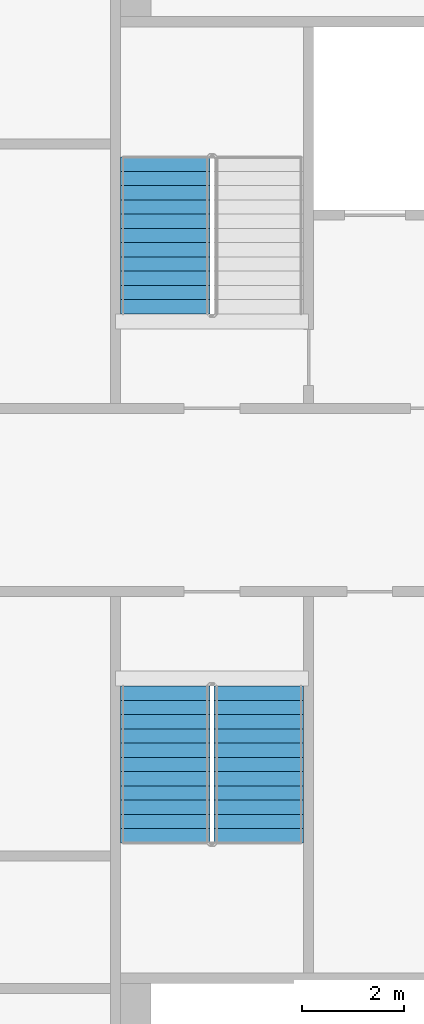
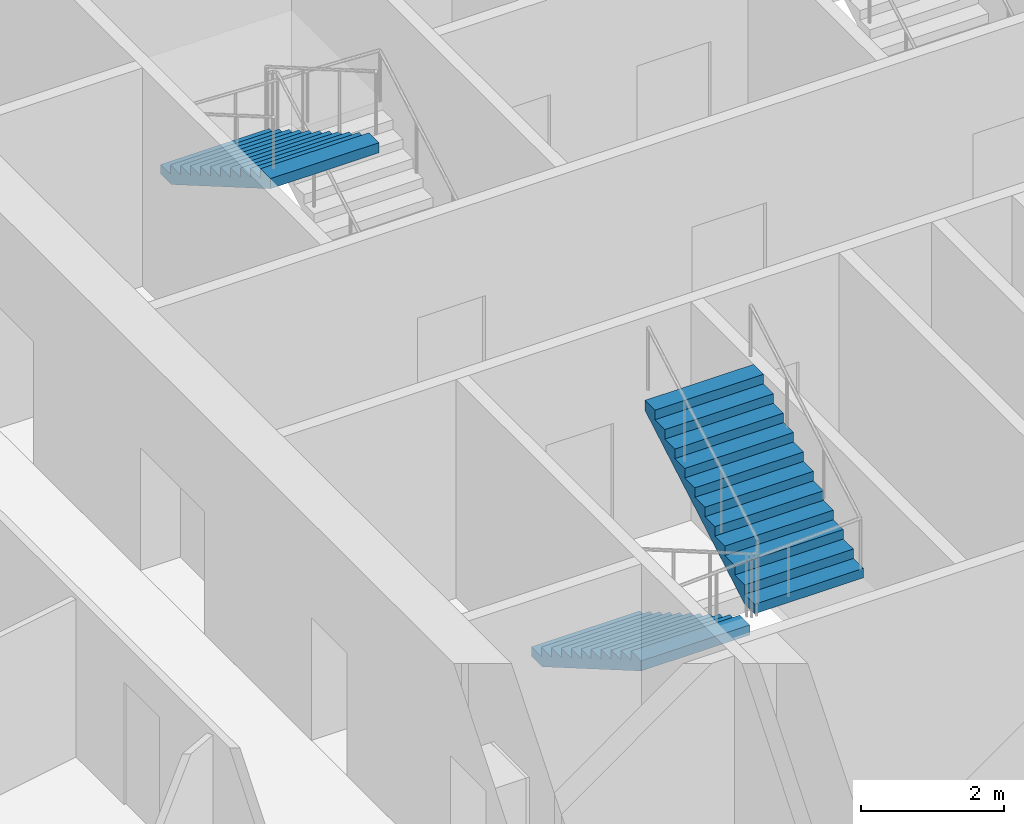
# One storey, part 8 of 15: 3 stair flights, 2 elements without a shape of their own.
"""IFC4 building model written with IfcOpenShell, lengths in metres."""

from ifc_helpers import new_model, si_unit, direction, frame, origin, place, context, subcontext, project, spatial, faceted_brep, material, type_object, element, aggregate, save


model = new_model("IFC4")

# Units and contexts
model_context = context("Model", 3, precision=1e-05, world=origin(), true_north=direction((0.0, 1.0)))
body_context = subcontext(model_context, "Body", "Model", "MODEL_VIEW")
ifc_project = project(units=[si_unit("LENGTHUNIT", "METRE"), si_unit("AREAUNIT", "SQUARE_METRE"), si_unit("VOLUMEUNIT", "CUBIC_METRE"), si_unit("PLANEANGLEUNIT", "RADIAN"), si_unit("MASSUNIT", "GRAM", prefix="KILO")], contexts=[model_context])

# Site, building, storey
site_placement = place(None, origin())
site = spatial("IfcSite", under=ifc_project, at=site_placement, CompositionType="ELEMENT")
building_placement = place(site_placement, origin())
building = spatial("IfcBuilding", under=site, at=building_placement, Name="Tarsis Ring Headquarters", CompositionType="ELEMENT")
storey_placement = place(building_placement, frame((0.0, 0.0, 174.89990234375)))
storey = spatial("IfcBuildingStorey", under=building, at=storey_placement, Name="L40", CompositionType="ELEMENT", Elevation=174.89990234375)

# Stair, stair flight
ifc_material_1 = material(Name="Core stair 1760")
stair_type = type_object("IfcStairType", Name="Core stair 1760", PredefinedType="HALF_TURN_STAIR", material=ifc_material_1)
stair_1_placement = place(storey_placement, origin())
stair_1 = element("IfcStair", 1, at=stair_1_placement, inside=storey, type_object=stair_type, Name="L40 Firefighting stair", PredefinedType="HALF_TURN_STAIR")
ifc_material_2 = material(Name="Concrete C40/50", Category="concrete")
stair_flight_type = type_object("IfcStairFlightType", Name="Core stair flight 1760", PredefinedType="STRAIGHT", material=ifc_material_2)
stair_flight_1_placement = place(storey_placement, frame((-5.419921875, 6.739990234375, 1.9501953125), z_axis=(0.0, 0.0, 1.0), x_axis=(0.0, -1.0, 0.0)))
stair_flight_1 = element("IfcStairFlight", 2, at=stair_flight_1_placement, type_object=stair_flight_type, Name="Stair ST1 flight 2", NumberOfRisers=12, NumberOfTreads=11, PredefinedType="STRAIGHT", RiserHeight=0.1625, TreadLength=0.28, context=body_context, shape_type="Brep", body=[
    faceted_brep([(0.0, 0.8798828125, 0.0), (0.0, 0.8798828125, 0.16259765625), (0.280029296875, 0.8798828125, 0.16259765625), (0.280029296875, 0.8798828125, 0.324951171875), (0.56005859375, 0.8798828125, 0.324951171875), (0.56005859375, 0.8798828125, 0.487548828125), (0.840087890625, 0.8798828125, 0.487548828125), (0.840087890625, 0.8798828125, 0.64990234375), (1.1201171875, 0.8798828125, 0.64990234375), (1.1201171875, 0.8798828125, 0.8125), (1.39990234375, 0.8798828125, 0.8125), (1.39990234375, 0.8798828125, 0.97509765625), (1.679931640625, 0.8798828125, 0.97509765625), (1.679931640625, 0.8798828125, 1.137451171875), (1.9599609375, 0.8798828125, 1.137451171875), (1.9599609375, 0.8798828125, 1.300048828125), (2.239990234375, 0.8798828125, 1.300048828125), (2.239990234375, 0.8798828125, 1.46240234375), (2.52001953125, 0.8798828125, 1.46240234375), (2.52001953125, 0.8798828125, 1.625), (2.800048828125, 0.8798828125, 1.625), (2.800048828125, 0.8798828125, 1.78759765625), (3.080078125, 0.8798828125, 1.78759765625), (3.080078125, 0.8798828125, 1.6142578125), (0.298583984375, 0.8798828125, 0.0), (0.298583984375, -0.8798828125, 0.0), (3.080078125, -0.8798828125, 1.6142578125), (3.080078125, -0.8798828125, 1.78759765625), (2.800048828125, -0.8798828125, 1.78759765625), (2.800048828125, -0.8798828125, 1.625), (2.52001953125, -0.8798828125, 1.625), (2.52001953125, -0.8798828125, 1.46240234375), (2.239990234375, -0.8798828125, 1.46240234375), (2.239990234375, -0.8798828125, 1.300048828125), (1.9599609375, -0.8798828125, 1.300048828125), (1.9599609375, -0.8798828125, 1.137451171875), (1.679931640625, -0.8798828125, 1.137451171875), (1.679931640625, -0.8798828125, 0.97509765625), (1.39990234375, -0.8798828125, 0.97509765625), (1.39990234375, -0.8798828125, 0.8125), (1.1201171875, -0.8798828125, 0.8125), (1.1201171875, -0.8798828125, 0.64990234375), (0.840087890625, -0.8798828125, 0.64990234375), (0.840087890625, -0.8798828125, 0.487548828125), (0.56005859375, -0.8798828125, 0.487548828125), (0.56005859375, -0.8798828125, 0.324951171875), (0.280029296875, -0.8798828125, 0.324951171875), (0.280029296875, -0.8798828125, 0.16259765625), (0.0, -0.8798828125, 0.16259765625), (0.0, -0.8798828125, 0.0), (0.0, -0.43994140625, 0.16259765625), (0.0, -0.43994140625, 0.0), (0.0, 0.0, 0.16259765625), (0.0, 0.0, 0.0), (0.0, 0.43994140625, 0.16259765625), (0.0, 0.43994140625, 0.0), (0.280029296875, -0.43994140625, 0.16259765625), (0.280029296875, 0.0, 0.16259765625), (0.280029296875, 0.43994140625, 0.16259765625), (0.280029296875, -0.43994140625, 0.324951171875), (0.280029296875, 0.0, 0.324951171875), (0.280029296875, 0.43994140625, 0.324951171875), (0.56005859375, -0.43994140625, 0.324951171875), (0.56005859375, 0.0, 0.324951171875), (0.56005859375, 0.43994140625, 0.324951171875), (0.56005859375, -0.43994140625, 0.487548828125), (0.56005859375, 0.0, 0.487548828125), (0.56005859375, 0.43994140625, 0.487548828125), (0.840087890625, -0.43994140625, 0.487548828125), (0.840087890625, 0.0, 0.487548828125), (0.840087890625, 0.43994140625, 0.487548828125), (0.840087890625, -0.43994140625, 0.64990234375), (0.840087890625, 0.0, 0.64990234375), (0.840087890625, 0.43994140625, 0.64990234375), (1.1201171875, -0.43994140625, 0.64990234375), (1.1201171875, 0.0, 0.64990234375), (1.1201171875, 0.43994140625, 0.64990234375), (1.1201171875, -0.43994140625, 0.8125), (1.1201171875, 0.0, 0.8125), (1.1201171875, 0.43994140625, 0.8125), (1.39990234375, -0.43994140625, 0.8125), (1.39990234375, 0.0, 0.8125), (1.39990234375, 0.43994140625, 0.8125), (1.39990234375, -0.43994140625, 0.97509765625), (1.39990234375, 0.0, 0.97509765625), (1.39990234375, 0.43994140625, 0.97509765625), (1.679931640625, -0.43994140625, 0.97509765625), (1.679931640625, 0.0, 0.97509765625), (1.679931640625, 0.43994140625, 0.97509765625), (1.679931640625, -0.43994140625, 1.137451171875), (1.679931640625, 0.0, 1.137451171875), (1.679931640625, 0.43994140625, 1.137451171875), (1.9599609375, -0.43994140625, 1.137451171875), (1.9599609375, 0.0, 1.137451171875), (1.9599609375, 0.43994140625, 1.137451171875), (1.9599609375, -0.43994140625, 1.300048828125), (1.9599609375, 0.0, 1.300048828125), (1.9599609375, 0.43994140625, 1.300048828125), (2.239990234375, -0.43994140625, 1.300048828125), (2.239990234375, 0.0, 1.300048828125), (2.239990234375, 0.43994140625, 1.300048828125), (2.239990234375, -0.43994140625, 1.46240234375), (2.239990234375, 0.0, 1.46240234375), (2.239990234375, 0.43994140625, 1.46240234375), (2.52001953125, -0.43994140625, 1.46240234375), (2.52001953125, 0.0, 1.46240234375), (2.52001953125, 0.43994140625, 1.46240234375), (2.52001953125, -0.43994140625, 1.625), (2.52001953125, 0.0, 1.625), (2.52001953125, 0.43994140625, 1.625), (2.800048828125, -0.43994140625, 1.625), (2.800048828125, 0.0, 1.625), (2.800048828125, 0.43994140625, 1.625), (2.800048828125, -0.43994140625, 1.78759765625), (2.800048828125, 0.0, 1.78759765625), (2.800048828125, 0.43994140625, 1.78759765625), (3.080078125, -0.43994140625, 1.78759765625), (3.080078125, 0.0, 1.78759765625), (3.080078125, 0.43994140625, 1.78759765625), (3.080078125, -0.43994140625, 1.6142578125), (3.080078125, 0.0, 1.6142578125), (3.080078125, 0.43994140625, 1.6142578125), (0.298583984375, -0.43994140625, 0.0), (0.298583984375, 0.0, 0.0), (0.298583984375, 0.43994140625, 0.0)], [[[0, 1, 2, 3, 4, 5, 6, 7, 8, 9, 10, 11, 12, 13, 14, 15, 16, 17, 18, 19, 20, 21, 22, 23, 24]], [[25, 26, 27, 28, 29, 30, 31, 32, 33, 34, 35, 36, 37, 38, 39, 40, 41, 42, 43, 44, 45, 46, 47, 48, 49]], [[49, 48, 50, 51]], [[51, 50, 52, 53]], [[53, 52, 54, 55]], [[55, 54, 1, 0]], [[48, 47, 56, 50]], [[50, 56, 57, 52]], [[52, 57, 58, 54]], [[54, 58, 2, 1]], [[47, 46, 59, 56]], [[56, 59, 60, 57]], [[57, 60, 61, 58]], [[58, 61, 3, 2]], [[46, 45, 62, 59]], [[59, 62, 63, 60]], [[60, 63, 64, 61]], [[61, 64, 4, 3]], [[45, 44, 65, 62]], [[62, 65, 66, 63]], [[63, 66, 67, 64]], [[64, 67, 5, 4]], [[44, 43, 68, 65]], [[65, 68, 69, 66]], [[66, 69, 70, 67]], [[67, 70, 6, 5]], [[43, 42, 71, 68]], [[68, 71, 72, 69]], [[69, 72, 73, 70]], [[70, 73, 7, 6]], [[42, 41, 74, 71]], [[71, 74, 75, 72]], [[72, 75, 76, 73]], [[73, 76, 8, 7]], [[41, 40, 77, 74]], [[74, 77, 78, 75]], [[75, 78, 79, 76]], [[76, 79, 9, 8]], [[40, 39, 80, 77]], [[77, 80, 81, 78]], [[78, 81, 82, 79]], [[79, 82, 10, 9]], [[39, 38, 83, 80]], [[80, 83, 84, 81]], [[81, 84, 85, 82]], [[82, 85, 11, 10]], [[38, 37, 86, 83]], [[83, 86, 87, 84]], [[84, 87, 88, 85]], [[85, 88, 12, 11]], [[37, 36, 89, 86]], [[86, 89, 90, 87]], [[87, 90, 91, 88]], [[88, 91, 13, 12]], [[36, 35, 92, 89]], [[89, 92, 93, 90]], [[90, 93, 94, 91]], [[91, 94, 14, 13]], [[35, 34, 95, 92]], [[92, 95, 96, 93]], [[93, 96, 97, 94]], [[94, 97, 15, 14]], [[34, 33, 98, 95]], [[95, 98, 99, 96]], [[96, 99, 100, 97]], [[97, 100, 16, 15]], [[33, 32, 101, 98]], [[98, 101, 102, 99]], [[99, 102, 103, 100]], [[100, 103, 17, 16]], [[32, 31, 104, 101]], [[101, 104, 105, 102]], [[102, 105, 106, 103]], [[103, 106, 18, 17]], [[31, 30, 107, 104]], [[104, 107, 108, 105]], [[105, 108, 109, 106]], [[106, 109, 19, 18]], [[30, 29, 110, 107]], [[107, 110, 111, 108]], [[108, 111, 112, 109]], [[109, 112, 20, 19]], [[29, 28, 113, 110]], [[110, 113, 114, 111]], [[111, 114, 115, 112]], [[112, 115, 21, 20]], [[28, 27, 116, 113]], [[113, 116, 117, 114]], [[114, 117, 118, 115]], [[115, 118, 22, 21]], [[27, 26, 119, 116]], [[116, 119, 120, 117]], [[117, 120, 121, 118]], [[118, 121, 23, 22]], [[26, 25, 122, 119]], [[119, 122, 123, 120]], [[120, 123, 124, 121]], [[121, 124, 24, 23]], [[25, 49, 51, 122]], [[122, 51, 53, 123]], [[123, 53, 55, 124]], [[124, 55, 0, 24]]]),
])
aggregate(stair_1, [stair_flight_1])

# Stair, stair flights
stair_2_placement = place(storey_placement, origin())
stair_2 = element("IfcStair", 3, at=stair_2_placement, inside=storey, type_object=stair_type, Name="L40 Exit stair C", PredefinedType="HALF_TURN_STAIR")
stair_flight_2_placement = place(storey_placement, frame((-5.419921875, -3.659912109375, 0.0), z_axis=(0.0, 0.0, 1.0), x_axis=(0.0, -1.0, 0.0)))
stair_flight_2 = element("IfcStairFlight", 4, at=stair_flight_2_placement, type_object=stair_flight_type, Name="Stair ST3 flight 1", NumberOfRisers=12, NumberOfTreads=11, PredefinedType="STRAIGHT", RiserHeight=0.1625, TreadLength=0.28, context=body_context, shape_type="Brep", body=[
    faceted_brep([(0.0, 0.8798828125, 0.0), (0.0, 0.8798828125, 0.16259765625), (0.280029296875, 0.8798828125, 0.16259765625), (0.280029296875, 0.8798828125, 0.324951171875), (0.56005859375, 0.8798828125, 0.324951171875), (0.56005859375, 0.8798828125, 0.487548828125), (0.840087890625, 0.8798828125, 0.487548828125), (0.840087890625, 0.8798828125, 0.64990234375), (1.1201171875, 0.8798828125, 0.64990234375), (1.1201171875, 0.8798828125, 0.8125), (1.39990234375, 0.8798828125, 0.8125), (1.39990234375, 0.8798828125, 0.97509765625), (1.679931640625, 0.8798828125, 0.97509765625), (1.679931640625, 0.8798828125, 1.137451171875), (1.9599609375, 0.8798828125, 1.137451171875), (1.9599609375, 0.8798828125, 1.300048828125), (2.239990234375, 0.8798828125, 1.300048828125), (2.239990234375, 0.8798828125, 1.46240234375), (2.52001953125, 0.8798828125, 1.46240234375), (2.52001953125, 0.8798828125, 1.625), (2.800048828125, 0.8798828125, 1.625), (2.800048828125, 0.8798828125, 1.78759765625), (3.080078125, 0.8798828125, 1.78759765625), (3.080078125, 0.8798828125, 1.6142578125), (0.298583984375, 0.8798828125, 0.0), (0.298583984375, -0.8798828125, 0.0), (3.080078125, -0.8798828125, 1.6142578125), (3.080078125, -0.8798828125, 1.78759765625), (2.800048828125, -0.8798828125, 1.78759765625), (2.800048828125, -0.8798828125, 1.625), (2.52001953125, -0.8798828125, 1.625), (2.52001953125, -0.8798828125, 1.46240234375), (2.239990234375, -0.8798828125, 1.46240234375), (2.239990234375, -0.8798828125, 1.300048828125), (1.9599609375, -0.8798828125, 1.300048828125), (1.9599609375, -0.8798828125, 1.137451171875), (1.679931640625, -0.8798828125, 1.137451171875), (1.679931640625, -0.8798828125, 0.97509765625), (1.39990234375, -0.8798828125, 0.97509765625), (1.39990234375, -0.8798828125, 0.8125), (1.1201171875, -0.8798828125, 0.8125), (1.1201171875, -0.8798828125, 0.64990234375), (0.840087890625, -0.8798828125, 0.64990234375), (0.840087890625, -0.8798828125, 0.487548828125), (0.56005859375, -0.8798828125, 0.487548828125), (0.56005859375, -0.8798828125, 0.324951171875), (0.280029296875, -0.8798828125, 0.324951171875), (0.280029296875, -0.8798828125, 0.16259765625), (0.0, -0.8798828125, 0.16259765625), (0.0, -0.8798828125, 0.0), (0.0, -0.43994140625, 0.16259765625), (0.0, -0.43994140625, 0.0), (0.0, 0.0, 0.16259765625), (0.0, 0.0, 0.0), (0.0, 0.43994140625, 0.16259765625), (0.0, 0.43994140625, 0.0), (0.280029296875, -0.43994140625, 0.16259765625), (0.280029296875, 0.0, 0.16259765625), (0.280029296875, 0.43994140625, 0.16259765625), (0.280029296875, -0.43994140625, 0.324951171875), (0.280029296875, 0.0, 0.324951171875), (0.280029296875, 0.43994140625, 0.324951171875), (0.56005859375, -0.43994140625, 0.324951171875), (0.56005859375, 0.0, 0.324951171875), (0.56005859375, 0.43994140625, 0.324951171875), (0.56005859375, -0.43994140625, 0.487548828125), (0.56005859375, 0.0, 0.487548828125), (0.56005859375, 0.43994140625, 0.487548828125), (0.840087890625, -0.43994140625, 0.487548828125), (0.840087890625, 0.0, 0.487548828125), (0.840087890625, 0.43994140625, 0.487548828125), (0.840087890625, -0.43994140625, 0.64990234375), (0.840087890625, 0.0, 0.64990234375), (0.840087890625, 0.43994140625, 0.64990234375), (1.1201171875, -0.43994140625, 0.64990234375), (1.1201171875, 0.0, 0.64990234375), (1.1201171875, 0.43994140625, 0.64990234375), (1.1201171875, -0.43994140625, 0.8125), (1.1201171875, 0.0, 0.8125), (1.1201171875, 0.43994140625, 0.8125), (1.39990234375, -0.43994140625, 0.8125), (1.39990234375, 0.0, 0.8125), (1.39990234375, 0.43994140625, 0.8125), (1.39990234375, -0.43994140625, 0.97509765625), (1.39990234375, 0.0, 0.97509765625), (1.39990234375, 0.43994140625, 0.97509765625), (1.679931640625, -0.43994140625, 0.97509765625), (1.679931640625, 0.0, 0.97509765625), (1.679931640625, 0.43994140625, 0.97509765625), (1.679931640625, -0.43994140625, 1.137451171875), (1.679931640625, 0.0, 1.137451171875), (1.679931640625, 0.43994140625, 1.137451171875), (1.9599609375, -0.43994140625, 1.137451171875), (1.9599609375, 0.0, 1.137451171875), (1.9599609375, 0.43994140625, 1.137451171875), (1.9599609375, -0.43994140625, 1.300048828125), (1.9599609375, 0.0, 1.300048828125), (1.9599609375, 0.43994140625, 1.300048828125), (2.239990234375, -0.43994140625, 1.300048828125), (2.239990234375, 0.0, 1.300048828125), (2.239990234375, 0.43994140625, 1.300048828125), (2.239990234375, -0.43994140625, 1.46240234375), (2.239990234375, 0.0, 1.46240234375), (2.239990234375, 0.43994140625, 1.46240234375), (2.52001953125, -0.43994140625, 1.46240234375), (2.52001953125, 0.0, 1.46240234375), (2.52001953125, 0.43994140625, 1.46240234375), (2.52001953125, -0.43994140625, 1.625), (2.52001953125, 0.0, 1.625), (2.52001953125, 0.43994140625, 1.625), (2.800048828125, -0.43994140625, 1.625), (2.800048828125, 0.0, 1.625), (2.800048828125, 0.43994140625, 1.625), (2.800048828125, -0.43994140625, 1.78759765625), (2.800048828125, 0.0, 1.78759765625), (2.800048828125, 0.43994140625, 1.78759765625), (3.080078125, -0.43994140625, 1.78759765625), (3.080078125, 0.0, 1.78759765625), (3.080078125, 0.43994140625, 1.78759765625), (3.080078125, -0.43994140625, 1.6142578125), (3.080078125, 0.0, 1.6142578125), (3.080078125, 0.43994140625, 1.6142578125), (0.298583984375, -0.43994140625, 0.0), (0.298583984375, 0.0, 0.0), (0.298583984375, 0.43994140625, 0.0)], [[[0, 1, 2, 3, 4, 5, 6, 7, 8, 9, 10, 11, 12, 13, 14, 15, 16, 17, 18, 19, 20, 21, 22, 23, 24]], [[25, 26, 27, 28, 29, 30, 31, 32, 33, 34, 35, 36, 37, 38, 39, 40, 41, 42, 43, 44, 45, 46, 47, 48, 49]], [[49, 48, 50, 51]], [[51, 50, 52, 53]], [[53, 52, 54, 55]], [[55, 54, 1, 0]], [[48, 47, 56, 50]], [[50, 56, 57, 52]], [[52, 57, 58, 54]], [[54, 58, 2, 1]], [[47, 46, 59, 56]], [[56, 59, 60, 57]], [[57, 60, 61, 58]], [[58, 61, 3, 2]], [[46, 45, 62, 59]], [[59, 62, 63, 60]], [[60, 63, 64, 61]], [[61, 64, 4, 3]], [[45, 44, 65, 62]], [[62, 65, 66, 63]], [[63, 66, 67, 64]], [[64, 67, 5, 4]], [[44, 43, 68, 65]], [[65, 68, 69, 66]], [[66, 69, 70, 67]], [[67, 70, 6, 5]], [[43, 42, 71, 68]], [[68, 71, 72, 69]], [[69, 72, 73, 70]], [[70, 73, 7, 6]], [[42, 41, 74, 71]], [[71, 74, 75, 72]], [[72, 75, 76, 73]], [[73, 76, 8, 7]], [[41, 40, 77, 74]], [[74, 77, 78, 75]], [[75, 78, 79, 76]], [[76, 79, 9, 8]], [[40, 39, 80, 77]], [[77, 80, 81, 78]], [[78, 81, 82, 79]], [[79, 82, 10, 9]], [[39, 38, 83, 80]], [[80, 83, 84, 81]], [[81, 84, 85, 82]], [[82, 85, 11, 10]], [[38, 37, 86, 83]], [[83, 86, 87, 84]], [[84, 87, 88, 85]], [[85, 88, 12, 11]], [[37, 36, 89, 86]], [[86, 89, 90, 87]], [[87, 90, 91, 88]], [[88, 91, 13, 12]], [[36, 35, 92, 89]], [[89, 92, 93, 90]], [[90, 93, 94, 91]], [[91, 94, 14, 13]], [[35, 34, 95, 92]], [[92, 95, 96, 93]], [[93, 96, 97, 94]], [[94, 97, 15, 14]], [[34, 33, 98, 95]], [[95, 98, 99, 96]], [[96, 99, 100, 97]], [[97, 100, 16, 15]], [[33, 32, 101, 98]], [[98, 101, 102, 99]], [[99, 102, 103, 100]], [[100, 103, 17, 16]], [[32, 31, 104, 101]], [[101, 104, 105, 102]], [[102, 105, 106, 103]], [[103, 106, 18, 17]], [[31, 30, 107, 104]], [[104, 107, 108, 105]], [[105, 108, 109, 106]], [[106, 109, 19, 18]], [[30, 29, 110, 107]], [[107, 110, 111, 108]], [[108, 111, 112, 109]], [[109, 112, 20, 19]], [[29, 28, 113, 110]], [[110, 113, 114, 111]], [[111, 114, 115, 112]], [[112, 115, 21, 20]], [[28, 27, 116, 113]], [[113, 116, 117, 114]], [[114, 117, 118, 115]], [[115, 118, 22, 21]], [[27, 26, 119, 116]], [[116, 119, 120, 117]], [[117, 120, 121, 118]], [[118, 121, 23, 22]], [[26, 25, 122, 119]], [[119, 122, 123, 120]], [[120, 123, 124, 121]], [[121, 124, 24, 23]], [[25, 49, 51, 122]], [[122, 51, 53, 123]], [[123, 53, 55, 124]], [[124, 55, 0, 24]]]),
])
stair_flight_3_placement = place(storey_placement, frame((-3.580078125, -6.739990234375, 1.9501953125), z_axis=(0.0, 0.0, 1.0), x_axis=(0.0, 1.0, 0.0)))
stair_flight_3 = element("IfcStairFlight", 5, at=stair_flight_3_placement, type_object=stair_flight_type, Name="Stair ST3 flight 2", NumberOfRisers=12, NumberOfTreads=11, PredefinedType="STRAIGHT", RiserHeight=0.1625, TreadLength=0.28, context=body_context, shape_type="Brep", body=[
    faceted_brep([(0.0, 0.8798828125, 0.0), (0.0, 0.8798828125, 0.16259765625), (0.280029296875, 0.8798828125, 0.16259765625), (0.280029296875, 0.8798828125, 0.324951171875), (0.56005859375, 0.8798828125, 0.324951171875), (0.56005859375, 0.8798828125, 0.487548828125), (0.840087890625, 0.8798828125, 0.487548828125), (0.840087890625, 0.8798828125, 0.64990234375), (1.1201171875, 0.8798828125, 0.64990234375), (1.1201171875, 0.8798828125, 0.8125), (1.39990234375, 0.8798828125, 0.8125), (1.39990234375, 0.8798828125, 0.97509765625), (1.679931640625, 0.8798828125, 0.97509765625), (1.679931640625, 0.8798828125, 1.137451171875), (1.9599609375, 0.8798828125, 1.137451171875), (1.9599609375, 0.8798828125, 1.300048828125), (2.239990234375, 0.8798828125, 1.300048828125), (2.239990234375, 0.8798828125, 1.46240234375), (2.52001953125, 0.8798828125, 1.46240234375), (2.52001953125, 0.8798828125, 1.625), (2.800048828125, 0.8798828125, 1.625), (2.800048828125, 0.8798828125, 1.78759765625), (3.080078125, 0.8798828125, 1.78759765625), (3.080078125, 0.8798828125, 1.6142578125), (0.298583984375, 0.8798828125, 0.0), (0.298583984375, -0.8798828125, 0.0), (3.080078125, -0.8798828125, 1.6142578125), (3.080078125, -0.8798828125, 1.78759765625), (2.800048828125, -0.8798828125, 1.78759765625), (2.800048828125, -0.8798828125, 1.625), (2.52001953125, -0.8798828125, 1.625), (2.52001953125, -0.8798828125, 1.46240234375), (2.239990234375, -0.8798828125, 1.46240234375), (2.239990234375, -0.8798828125, 1.300048828125), (1.9599609375, -0.8798828125, 1.300048828125), (1.9599609375, -0.8798828125, 1.137451171875), (1.679931640625, -0.8798828125, 1.137451171875), (1.679931640625, -0.8798828125, 0.97509765625), (1.39990234375, -0.8798828125, 0.97509765625), (1.39990234375, -0.8798828125, 0.8125), (1.1201171875, -0.8798828125, 0.8125), (1.1201171875, -0.8798828125, 0.64990234375), (0.840087890625, -0.8798828125, 0.64990234375), (0.840087890625, -0.8798828125, 0.487548828125), (0.56005859375, -0.8798828125, 0.487548828125), (0.56005859375, -0.8798828125, 0.324951171875), (0.280029296875, -0.8798828125, 0.324951171875), (0.280029296875, -0.8798828125, 0.16259765625), (0.0, -0.8798828125, 0.16259765625), (0.0, -0.8798828125, 0.0), (0.0, -0.43994140625, 0.16259765625), (0.0, -0.43994140625, 0.0), (0.0, 0.0, 0.16259765625), (0.0, 0.0, 0.0), (0.0, 0.43994140625, 0.16259765625), (0.0, 0.43994140625, 0.0), (0.280029296875, -0.43994140625, 0.16259765625), (0.280029296875, 0.0, 0.16259765625), (0.280029296875, 0.43994140625, 0.16259765625), (0.280029296875, -0.43994140625, 0.324951171875), (0.280029296875, 0.0, 0.324951171875), (0.280029296875, 0.43994140625, 0.324951171875), (0.56005859375, -0.43994140625, 0.324951171875), (0.56005859375, 0.0, 0.324951171875), (0.56005859375, 0.43994140625, 0.324951171875), (0.56005859375, -0.43994140625, 0.487548828125), (0.56005859375, 0.0, 0.487548828125), (0.56005859375, 0.43994140625, 0.487548828125), (0.840087890625, -0.43994140625, 0.487548828125), (0.840087890625, 0.0, 0.487548828125), (0.840087890625, 0.43994140625, 0.487548828125), (0.840087890625, -0.43994140625, 0.64990234375), (0.840087890625, 0.0, 0.64990234375), (0.840087890625, 0.43994140625, 0.64990234375), (1.1201171875, -0.43994140625, 0.64990234375), (1.1201171875, 0.0, 0.64990234375), (1.1201171875, 0.43994140625, 0.64990234375), (1.1201171875, -0.43994140625, 0.8125), (1.1201171875, 0.0, 0.8125), (1.1201171875, 0.43994140625, 0.8125), (1.39990234375, -0.43994140625, 0.8125), (1.39990234375, 0.0, 0.8125), (1.39990234375, 0.43994140625, 0.8125), (1.39990234375, -0.43994140625, 0.97509765625), (1.39990234375, 0.0, 0.97509765625), (1.39990234375, 0.43994140625, 0.97509765625), (1.679931640625, -0.43994140625, 0.97509765625), (1.679931640625, 0.0, 0.97509765625), (1.679931640625, 0.43994140625, 0.97509765625), (1.679931640625, -0.43994140625, 1.137451171875), (1.679931640625, 0.0, 1.137451171875), (1.679931640625, 0.43994140625, 1.137451171875), (1.9599609375, -0.43994140625, 1.137451171875), (1.9599609375, 0.0, 1.137451171875), (1.9599609375, 0.43994140625, 1.137451171875), (1.9599609375, -0.43994140625, 1.300048828125), (1.9599609375, 0.0, 1.300048828125), (1.9599609375, 0.43994140625, 1.300048828125), (2.239990234375, -0.43994140625, 1.300048828125), (2.239990234375, 0.0, 1.300048828125), (2.239990234375, 0.43994140625, 1.300048828125), (2.239990234375, -0.43994140625, 1.46240234375), (2.239990234375, 0.0, 1.46240234375), (2.239990234375, 0.43994140625, 1.46240234375), (2.52001953125, -0.43994140625, 1.46240234375), (2.52001953125, 0.0, 1.46240234375), (2.52001953125, 0.43994140625, 1.46240234375), (2.52001953125, -0.43994140625, 1.625), (2.52001953125, 0.0, 1.625), (2.52001953125, 0.43994140625, 1.625), (2.800048828125, -0.43994140625, 1.625), (2.800048828125, 0.0, 1.625), (2.800048828125, 0.43994140625, 1.625), (2.800048828125, -0.43994140625, 1.78759765625), (2.800048828125, 0.0, 1.78759765625), (2.800048828125, 0.43994140625, 1.78759765625), (3.080078125, -0.43994140625, 1.78759765625), (3.080078125, 0.0, 1.78759765625), (3.080078125, 0.43994140625, 1.78759765625), (3.080078125, -0.43994140625, 1.6142578125), (3.080078125, 0.0, 1.6142578125), (3.080078125, 0.43994140625, 1.6142578125), (0.298583984375, -0.43994140625, 0.0), (0.298583984375, 0.0, 0.0), (0.298583984375, 0.43994140625, 0.0)], [[[0, 1, 2, 3, 4, 5, 6, 7, 8, 9, 10, 11, 12, 13, 14, 15, 16, 17, 18, 19, 20, 21, 22, 23, 24]], [[25, 26, 27, 28, 29, 30, 31, 32, 33, 34, 35, 36, 37, 38, 39, 40, 41, 42, 43, 44, 45, 46, 47, 48, 49]], [[49, 48, 50, 51]], [[51, 50, 52, 53]], [[53, 52, 54, 55]], [[55, 54, 1, 0]], [[48, 47, 56, 50]], [[50, 56, 57, 52]], [[52, 57, 58, 54]], [[54, 58, 2, 1]], [[47, 46, 59, 56]], [[56, 59, 60, 57]], [[57, 60, 61, 58]], [[58, 61, 3, 2]], [[46, 45, 62, 59]], [[59, 62, 63, 60]], [[60, 63, 64, 61]], [[61, 64, 4, 3]], [[45, 44, 65, 62]], [[62, 65, 66, 63]], [[63, 66, 67, 64]], [[64, 67, 5, 4]], [[44, 43, 68, 65]], [[65, 68, 69, 66]], [[66, 69, 70, 67]], [[67, 70, 6, 5]], [[43, 42, 71, 68]], [[68, 71, 72, 69]], [[69, 72, 73, 70]], [[70, 73, 7, 6]], [[42, 41, 74, 71]], [[71, 74, 75, 72]], [[72, 75, 76, 73]], [[73, 76, 8, 7]], [[41, 40, 77, 74]], [[74, 77, 78, 75]], [[75, 78, 79, 76]], [[76, 79, 9, 8]], [[40, 39, 80, 77]], [[77, 80, 81, 78]], [[78, 81, 82, 79]], [[79, 82, 10, 9]], [[39, 38, 83, 80]], [[80, 83, 84, 81]], [[81, 84, 85, 82]], [[82, 85, 11, 10]], [[38, 37, 86, 83]], [[83, 86, 87, 84]], [[84, 87, 88, 85]], [[85, 88, 12, 11]], [[37, 36, 89, 86]], [[86, 89, 90, 87]], [[87, 90, 91, 88]], [[88, 91, 13, 12]], [[36, 35, 92, 89]], [[89, 92, 93, 90]], [[90, 93, 94, 91]], [[91, 94, 14, 13]], [[35, 34, 95, 92]], [[92, 95, 96, 93]], [[93, 96, 97, 94]], [[94, 97, 15, 14]], [[34, 33, 98, 95]], [[95, 98, 99, 96]], [[96, 99, 100, 97]], [[97, 100, 16, 15]], [[33, 32, 101, 98]], [[98, 101, 102, 99]], [[99, 102, 103, 100]], [[100, 103, 17, 16]], [[32, 31, 104, 101]], [[101, 104, 105, 102]], [[102, 105, 106, 103]], [[103, 106, 18, 17]], [[31, 30, 107, 104]], [[104, 107, 108, 105]], [[105, 108, 109, 106]], [[106, 109, 19, 18]], [[30, 29, 110, 107]], [[107, 110, 111, 108]], [[108, 111, 112, 109]], [[109, 112, 20, 19]], [[29, 28, 113, 110]], [[110, 113, 114, 111]], [[111, 114, 115, 112]], [[112, 115, 21, 20]], [[28, 27, 116, 113]], [[113, 116, 117, 114]], [[114, 117, 118, 115]], [[115, 118, 22, 21]], [[27, 26, 119, 116]], [[116, 119, 120, 117]], [[117, 120, 121, 118]], [[118, 121, 23, 22]], [[26, 25, 122, 119]], [[119, 122, 123, 120]], [[120, 123, 124, 121]], [[121, 124, 24, 23]], [[25, 49, 51, 122]], [[122, 51, 53, 123]], [[123, 53, 55, 124]], [[124, 55, 0, 24]]]),
])
aggregate(stair_2, [stair_flight_2, stair_flight_3])

save(model, "model.ifc")
